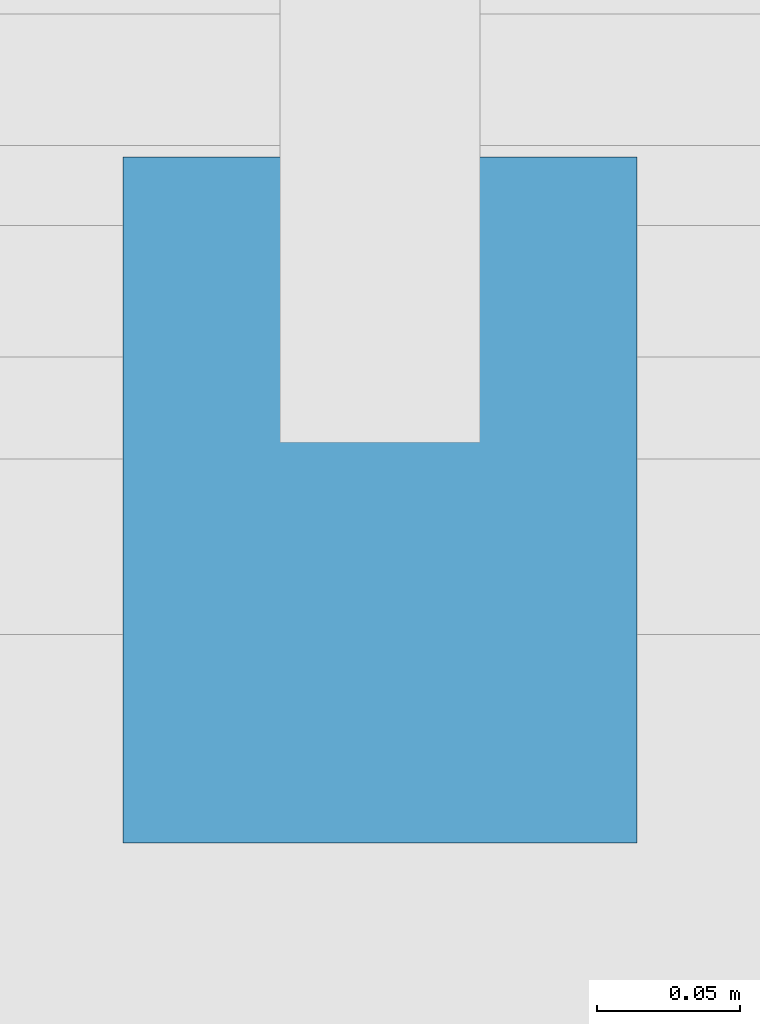
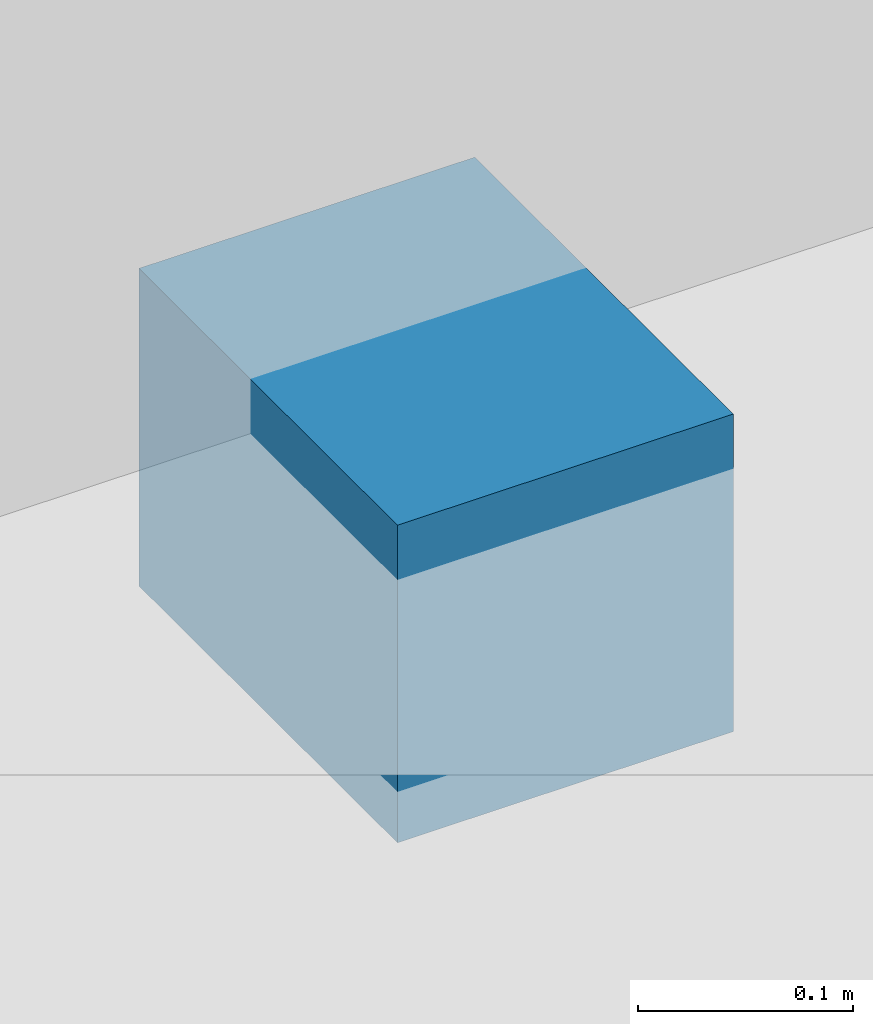
# One storey, part 51 of 73: 1 discrete accessory.
"""IFC4 building model written with IfcOpenShell, lengths in metres."""

from ifc_helpers import new_model, si_unit, direction, frame, origin, origin_2d, place, context, subcontext, project, spatial, rectangle, extrude, material, type_object, element, save


model = new_model("IFC4")

# Units and contexts
model_context = context("Model", 3, precision=1e-05, world=origin(), true_north=direction((0.0, 1.0)))
body_context = subcontext(model_context, "Body", "Model", "MODEL_VIEW")
ifc_project = project(units=[si_unit("LENGTHUNIT", "METRE"), si_unit("AREAUNIT", "SQUARE_METRE"), si_unit("VOLUMEUNIT", "CUBIC_METRE"), si_unit("PLANEANGLEUNIT", "RADIAN"), si_unit("MASSUNIT", "GRAM", prefix="KILO")], contexts=[model_context])

# Site, building, storey
site_placement = place(None, origin())
site = spatial("IfcSite", under=ifc_project, at=site_placement, CompositionType="ELEMENT")
building_placement = place(site_placement, origin())
building = spatial("IfcBuilding", under=site, at=building_placement, Name="Kisiwana Market Hall", CompositionType="ELEMENT")
storey_placement = place(building_placement, frame((0.0, 0.0, 33.300048828125)))
storey = spatial("IfcBuildingStorey", under=building, at=storey_placement, Name="L07", CompositionType="ELEMENT", Elevation=33.300048828125)

# Discrete accessory
ifc_material = material(Name="Steel S355", Category="steel")
discrete_accessory_type = type_object("IfcDiscreteAccessoryType", Name="ACC-BRACKET-STL", PredefinedType="BRACKET", material=ifc_material)
discrete_accessory_placement = place(storey_placement, frame((126.0, 17.889892578125, 4.044921875), z_axis=(0.0, 0.0, 1.0), x_axis=(1.0, 0.0, 0.0)))
element("IfcDiscreteAccessory", 1, at=discrete_accessory_placement, inside=storey, type_object=discrete_accessory_type, Name="Sunshade steel bracket BRK-133", PredefinedType="BRACKET", context=body_context, shape_type="SweptSolid", body=[
    extrude(rectangle(XDim=0.179931640625, YDim=0.239990234375, at=origin_2d()), origin(), (0.0, 0.0, 1.0), 0.179931640625),
])

save(model, "model.ifc")
